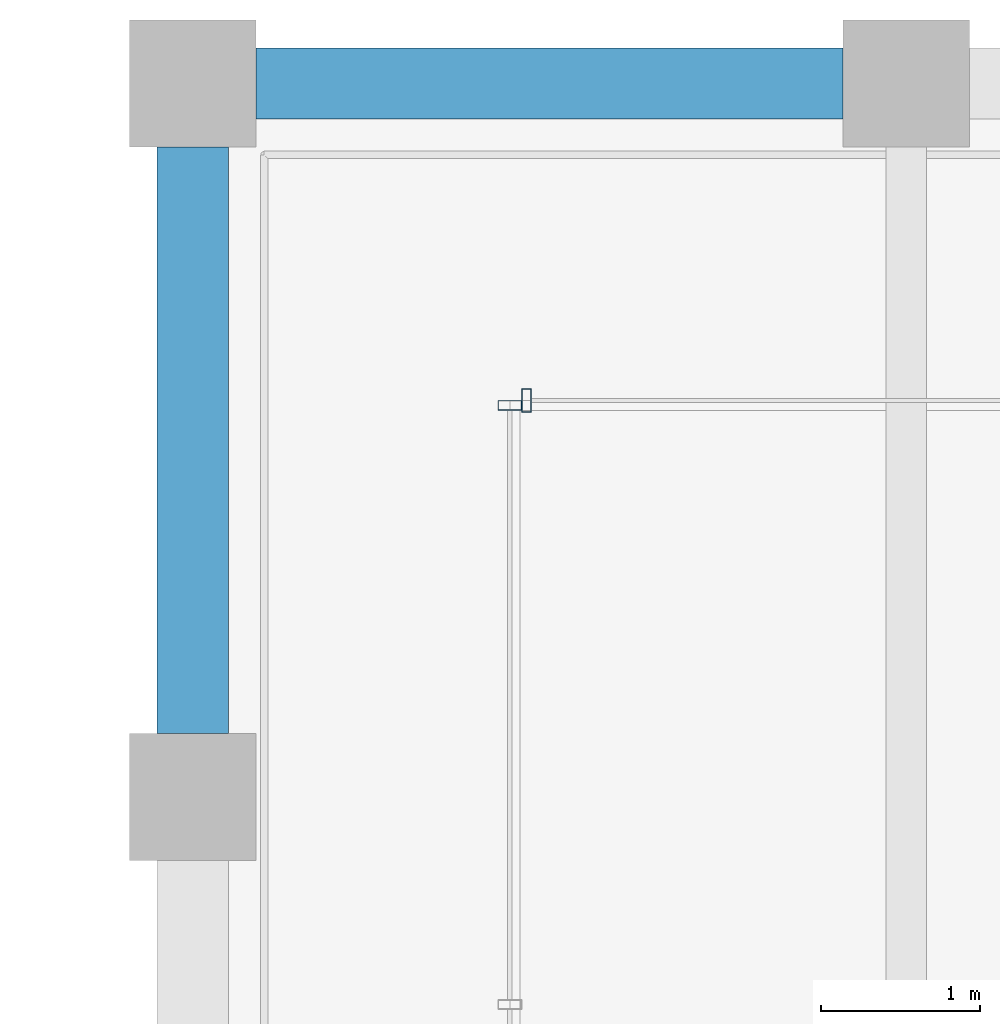
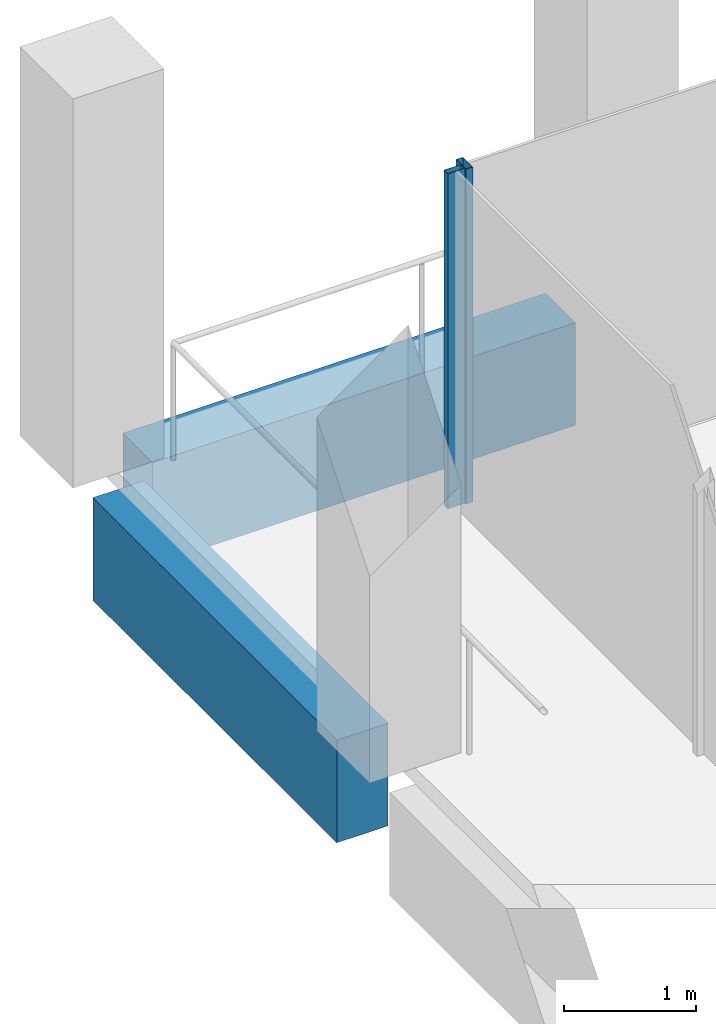
# One storey, part 21 of 30: 2 beams, 2 members, 2 elements without a shape of their own.
"""IFC4 building model written with IfcOpenShell, lengths in metres."""

from ifc_helpers import new_model, si_unit, direction, frame, origin, origin_2d, place, context, subcontext, project, spatial, rectangle, hollow_rectangle, extrude, material, material_profile, profile_set, type_object, element, aggregate, save


model = new_model("IFC4")

# Units and contexts
model_context = context("Model", 3, precision=1e-05, world=origin(), true_north=direction((0.0, 1.0)))
body_context = subcontext(model_context, "Body", "Model", "MODEL_VIEW")
ifc_project = project(units=[si_unit("LENGTHUNIT", "METRE"), si_unit("AREAUNIT", "SQUARE_METRE"), si_unit("VOLUMEUNIT", "CUBIC_METRE"), si_unit("PLANEANGLEUNIT", "RADIAN"), si_unit("MASSUNIT", "GRAM", prefix="KILO")], contexts=[model_context])

# Site, building, storey
site_placement = place(None, origin())
site = spatial("IfcSite", under=ifc_project, at=site_placement, CompositionType="ELEMENT")
building_placement = place(site_placement, origin())
building = spatial("IfcBuilding", under=site, at=building_placement, Name="Altepetl Exchange Towers", CompositionType="ELEMENT")
storey_placement = place(building_placement, frame((0.0, 0.0, 217.199951171875)))
storey = spatial("IfcBuildingStorey", under=building, at=storey_placement, Name="L55", CompositionType="ELEMENT", Elevation=217.199951171875)

# Curtain wall, member
ifc_material_1 = material(Name="Aluminium 6063-T6 glazing", Category="aluminium")
curtain_wall_type = type_object("IfcCurtainWallType", Name="Loggia glazing system", PredefinedType="NOTDEFINED", material=ifc_material_1)
curtain_wall_1_placement = place(storey_placement, origin())
curtain_wall_1 = element("IfcCurtainWall", 1, at=curtain_wall_1_placement, inside=storey, type_object=curtain_wall_type, Name="CW1 run", PredefinedType="NOTDEFINED")
ifc_material_2 = material(Name="Aluminium 6063-T6", Category="aluminium")
ifc_material_profile_1 = material_profile(ifc_material_2, hollow_rectangle(XDim=0.06005859375, YDim=0.14990234375, WallThickness=0.0029296875, at=origin_2d()), Name="Mullion 60x150 aluminium")
ifc_profile_set_1 = profile_set([ifc_material_profile_1], Name="Aluminium 6063-T6")
member_type = type_object("IfcMemberType", Name="Mullion 60x150 aluminium", PredefinedType="MULLION", material=ifc_profile_set_1)
member_1_placement = place(storey_placement, frame((42.60498046875, 70.0, 0.0), z_axis=(0.0, 0.0, 1.0), x_axis=(-1.0, 0.0, 0.0)))
member_1 = element("IfcMember", 2, at=member_1_placement, type_object=member_type, Name="MU1 mullion", PredefinedType="MULLION", context=body_context, shape_type="SweptSolid", body=[
    extrude(hollow_rectangle(XDim=0.06005859375, YDim=0.14990234375, WallThickness=0.0029296875, at=origin_2d()), origin(), (0.0, 0.0, 1.0), 3.10009765625),
])
aggregate(curtain_wall_1, [member_1])

curtain_wall_2_placement = place(storey_placement, origin())
curtain_wall_2 = element("IfcCurtainWall", 3, at=curtain_wall_2_placement, inside=storey, type_object=curtain_wall_type, Name="CW1 run", PredefinedType="NOTDEFINED")
member_2_placement = place(storey_placement, frame((42.5, 69.969970703125, 0.0), z_axis=(0.0, 0.0, 1.0), x_axis=(0.0, -1.0, 0.0)))
member_2 = element("IfcMember", 4, at=member_2_placement, type_object=member_type, Name="MU1 mullion", PredefinedType="MULLION", context=body_context, shape_type="SweptSolid", body=[
    extrude(hollow_rectangle(XDim=0.06005859375, YDim=0.14990234375, WallThickness=0.0029296875, at=origin_2d()), origin(), (0.0, 0.0, 1.0), 3.10009765625),
])
aggregate(curtain_wall_2, [member_2])

# Beams
ifc_material_3 = material(Name="Concrete C50/60 precast with cantera rosa facing", Category="concrete")
ifc_material_profile_2 = material_profile(ifc_material_3, rectangle(XDim=0.449951171875, YDim=0.949951171875, at=origin_2d()), Name="450 x 950")
ifc_profile_set_2 = profile_set([ifc_material_profile_2], Name="Concrete C50/60 precast with cantera rosa facing")
beam_type_1 = type_object("IfcBeamType", Name="Spandrel beam 450x950 cantera rosa", PredefinedType="SPANDREL", material=ifc_profile_set_2)
beam_1_placement = place(storey_placement, frame((44.60009765625, 72.0, -0.625), z_axis=(-1.0, 0.0, 0.0), x_axis=(0.0, -1.0, 0.0)))
element("IfcBeam", 5, at=beam_1_placement, inside=storey, type_object=beam_type_1, Name="sp:A:L55:029", PredefinedType="SPANDREL", context=body_context, shape_type="SweptSolid", body=[
    extrude(rectangle(XDim=0.449951171875, YDim=0.949951171875, at=origin_2d()), origin(), (0.0, 0.0, 1.0), 3.7001953125),
])
ifc_material_4 = material(Name="Concrete C50/60 precast with tezontle facing", Category="concrete")
ifc_material_profile_3 = material_profile(ifc_material_4, rectangle(XDim=0.449951171875, YDim=0.949951171875, at=origin_2d()), Name="450 x 950")
ifc_profile_set_3 = profile_set([ifc_material_profile_3], Name="Concrete C50/60 precast with tezontle facing")
beam_type_2 = type_object("IfcBeamType", Name="Spandrel beam 450x950 tezontle", PredefinedType="SPANDREL", material=ifc_profile_set_3)
beam_2_placement = place(storey_placement, frame((40.5, 71.60009765625, -0.625), z_axis=(0.0, -1.0, 0.0), x_axis=(1.0, 0.0, 0.0)))
element("IfcBeam", 6, at=beam_2_placement, inside=storey, type_object=beam_type_2, Name="sp:A:L55:030", PredefinedType="SPANDREL", context=body_context, shape_type="SweptSolid", body=[
    extrude(rectangle(XDim=0.449951171875, YDim=0.949951171875, at=origin_2d()), origin(), (0.0, 0.0, 1.0), 3.7001953125),
])

save(model, "model.ifc")
